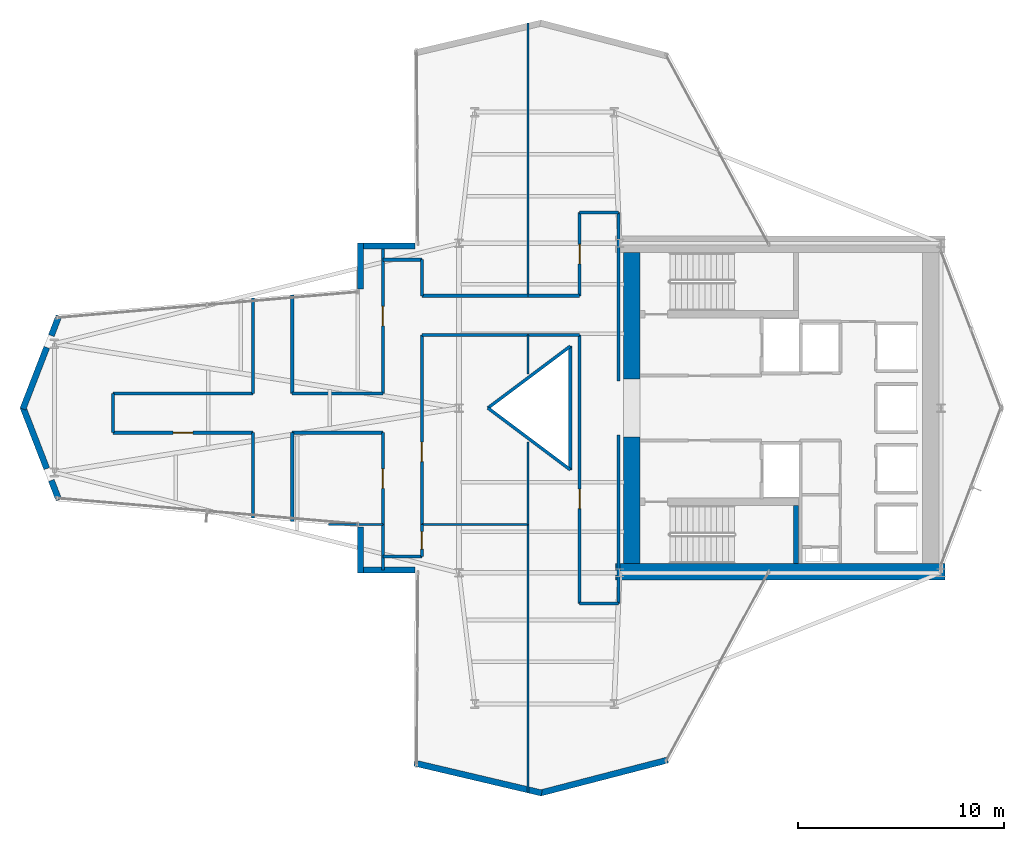
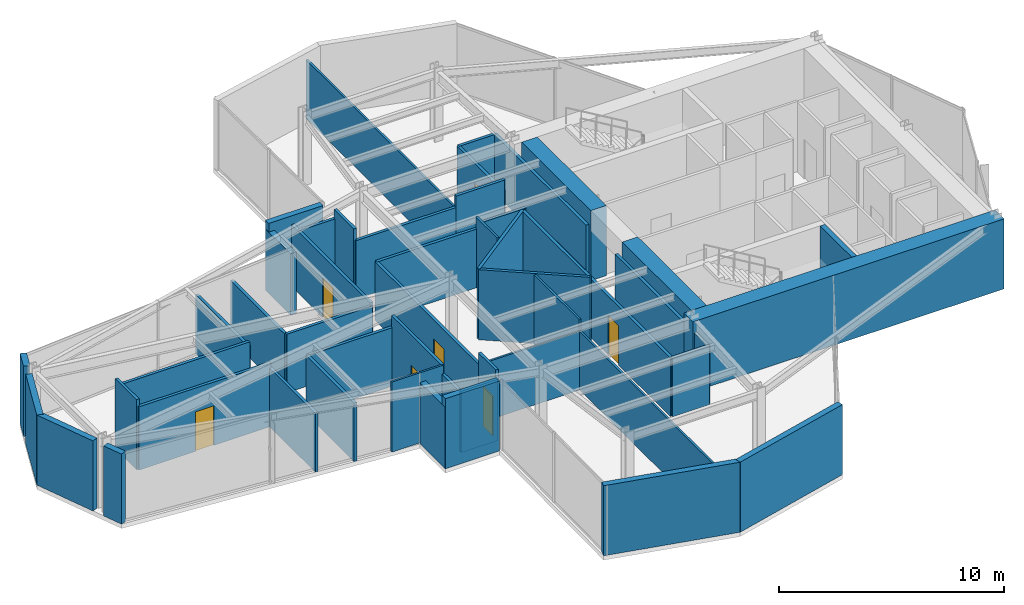
# One storey, part 23 of 26: 50 walls, 7 doors, 7 openings.
"""IFC4 building model written with IfcOpenShell, lengths in metres."""

from ifc_helpers import new_model, si_unit, direction, frame, frame_2d, origin, place, context, subcontext, project, spatial, rectangle, extrude, material, layer, layer_set, type_object, element, fill, save


model = new_model("IFC4")

# Units and contexts
model_context = context("Model", 3, precision=1e-05, world=origin(), true_north=direction((0.0, 1.0)))
body_context = subcontext(model_context, "Body", "Model", "MODEL_VIEW")
ifc_project = project(units=[si_unit("LENGTHUNIT", "METRE"), si_unit("AREAUNIT", "SQUARE_METRE"), si_unit("VOLUMEUNIT", "CUBIC_METRE"), si_unit("PLANEANGLEUNIT", "RADIAN"), si_unit("MASSUNIT", "GRAM", prefix="KILO")], contexts=[model_context])

# Site, building, storey
site_placement = place(None, origin())
site = spatial("IfcSite", under=ifc_project, at=site_placement, CompositionType="ELEMENT")
building_placement = place(site_placement, origin())
building = spatial("IfcBuilding", under=site, at=building_placement, Name="Veymaron Broadcast Tower", CompositionType="ELEMENT")
storey_placement = place(building_placement, frame((0.0, 0.0, 153.300048828125)))
storey = spatial("IfcBuildingStorey", under=building, at=storey_placement, Name="L35", CompositionType="ELEMENT", Elevation=153.300048828125)

# Walls
ifc_material_1 = material(Name="Precast concrete C40/50 with mineral-wool insulation", Category="concrete")
ifc_layer_1 = layer(ifc_material_1, 0.300048828125)
ifc_layer_set_1 = layer_set([ifc_layer_1], Name="Precast concrete C40/50 with mineral-wool insulation")
wall_type_1 = type_object("IfcWallType", Name="WALL-EXT-300", PredefinedType="STANDARD", material=ifc_layer_set_1)
wall_1_placement = place(storey_placement, frame((29.06494140625, 31.860107421875, 0.0), z_axis=(0.0, 0.0, 1.0), x_axis=(-1.0, 0.0, 0.0)))
element("IfcWall", 1, at=wall_1_placement, inside=storey, type_object=wall_type_1, Name="L35 notched corner facade pier 9-1", PredefinedType="STANDARD", context=body_context, shape_type="SweptSolid", body=[
    extrude(rectangle(XDim=2.79443359375, YDim=0.300048828125, at=frame_2d((1.397216796875, 0.0))), origin(), (0.0, 0.0, 1.0), 3.81005859375),
])
wall_2_placement = place(storey_placement, frame((26.410400390625, 32.0, 0.0), z_axis=(0.0, 0.0, 1.0), x_axis=(0.0, -1.0, 0.0)))
element("IfcWall", 2, at=wall_2_placement, inside=storey, type_object=wall_type_1, Name="L35 notched corner facade pier 10-1", PredefinedType="STANDARD", context=body_context, shape_type="SweptSolid", body=[
    extrude(rectangle(XDim=2.229248046875, YDim=0.300048828125, at=frame_2d((1.11474609375, 0.0))), origin(), (0.0, 0.0, 1.0), 3.337890625),
])
wall_3_placement = place(storey_placement, frame((11.7705078125, 28.465576171875, 0.0), z_axis=(0.0, 0.0, 1.0), x_axis=(-0.360678505659, -0.93269020342, 0.0)))
element("IfcWall", 3, at=wall_3_placement, inside=storey, type_object=wall_type_1, Name="L35 notched corner facade pier 12-1", PredefinedType="STANDARD", context=body_context, shape_type="SweptSolid", body=[
    extrude(rectangle(XDim=1.02001953125, YDim=0.300048828125, at=frame_2d((0.510009765625, 0.0))), origin(), (0.0, 0.0, 1.0), 3.81005859375),
])
for number, where, z_axis, x_axis, name in (
    (4, (11.181884765625, 26.944091796875, 0.0), (0.0, 0.0, 1.0), (-0.360787181504, -0.932648170353, 0.0), "L35 notched corner facade pier 12-2"),
    (5, (10.0234375, 24.050537109375, 0.0), (0.0, 0.0, 1.0), (0.360787181504, -0.932648170353, 0.0), "L35 notched corner facade pier 13-1"),
):
    element("IfcWall", number, at=place(storey_placement, frame(where, z_axis=z_axis, x_axis=x_axis)), inside=storey, type_object=wall_type_1, Name=name, PredefinedType="STANDARD", context=body_context, shape_type="SweptSolid", body=[
        extrude(rectangle(XDim=3.2109375, YDim=0.300048828125, at=frame_2d((1.60546875, 0.0))), origin(), (0.0, 0.0, 1.0), 3.81005859375),
    ])
wall_4_placement = place(storey_placement, frame((11.402587890625, 20.48583984375, 0.0), z_axis=(0.0, 0.0, 1.0), x_axis=(0.360678505659, -0.93269020342, 0.0)))
element("IfcWall", 6, at=wall_4_placement, inside=storey, type_object=wall_type_1, Name="L35 notched corner facade pier 13-2", PredefinedType="STANDARD", context=body_context, shape_type="SweptSolid", body=[
    extrude(rectangle(XDim=1.02001953125, YDim=0.300048828125, at=frame_2d((0.510009765625, 0.0))), origin(), (0.0, 0.0, 1.0), 3.81005859375),
])
wall_5_placement = place(storey_placement, frame((26.410400390625, 18.229248046875, 0.0), z_axis=(0.0, 0.0, 1.0), x_axis=(0.0, -1.0, 0.0)))
element("IfcWall", 7, at=wall_5_placement, inside=storey, type_object=wall_type_1, Name="L35 notched corner facade pier 15-1", PredefinedType="STANDARD", context=body_context, shape_type="SweptSolid", body=[
    extrude(rectangle(XDim=2.229248046875, YDim=0.300048828125, at=frame_2d((1.11474609375, 0.0))), origin(), (0.0, 0.0, 1.0), 3.337890625),
])
wall_6_placement = place(storey_placement, frame((26.2705078125, 16.139892578125, 0.0), z_axis=(0.0, 0.0, 1.0), x_axis=(1.0, 0.0, 0.0)))
element("IfcWall", 8, at=wall_6_placement, inside=storey, type_object=wall_type_1, Name="L35 notched corner facade pier 16-1", PredefinedType="STANDARD", context=body_context, shape_type="SweptSolid", body=[
    extrude(rectangle(XDim=2.79443359375, YDim=0.300048828125, at=frame_2d((1.397216796875, 0.0))), origin(), (0.0, 0.0, 1.0), 3.81005859375),
])
wall_7_placement = place(storey_placement, frame((29.033203125, 6.763427734375, 0.0), z_axis=(0.0, 0.0, 1.0), x_axis=(0.973355101444, -0.229302957882, 0.0)))
element("IfcWall", 9, at=wall_7_placement, inside=storey, type_object=wall_type_1, Name="L35 notched corner facade pier 18-1", PredefinedType="STANDARD", context=body_context, shape_type="SweptSolid", body=[
    extrude(rectangle(XDim=6.348876953125, YDim=0.300048828125, at=frame_2d((3.17431640625, 0.0))), origin(), (0.0, 0.0, 1.0), 3.81005859375),
])
wall_8_placement = place(storey_placement, frame((35.145751953125, 5.306640625, 0.0), z_axis=(0.0, 0.0, 1.0), x_axis=(0.96801891639, 0.250877216005, 0.0)))
element("IfcWall", 10, at=wall_8_placement, inside=storey, type_object=wall_type_1, Name="L35 notched corner facade pier 19-1", PredefinedType="STANDARD", context=body_context, shape_type="SweptSolid", body=[
    extrude(rectangle(XDim=6.3837890625, YDim=0.300048828125, at=frame_2d((3.19189453125, 0.0))), origin(), (0.0, 0.0, 1.0), 3.81005859375),
])

# Wall, opening, door
ifc_material_2 = material(Name="Gypsum fireboard and steel stud framing", Category="steel")
ifc_layer_2 = layer(ifc_material_2, 0.14990234375)
ifc_layer_set_2 = layer_set([ifc_layer_2], Name="Gypsum fireboard and steel stud framing")
wall_type_2 = type_object("IfcWallType", Name="WALL-FIRE-150", PredefinedType="PARTITIONING", material=ifc_layer_set_2)
wall_9_placement = place(storey_placement, frame((29.39990234375, 16.800048828125, 0.0), z_axis=(0.0, 0.0, 1.0), x_axis=(0.0, 1.0, 0.0)))
wall_9 = element("IfcWall", 11, at=wall_9_placement, inside=storey, type_object=wall_type_2, Name="L35 partition IW-L35-P03", PredefinedType="PARTITIONING", context=body_context, shape_type="SweptSolid", body=[
    extrude(rectangle(XDim=1.551025390625, YDim=0.14990234375, at=frame_2d((0.775390625, 0.0))), origin(), (0.0, 0.0, 1.0), 3.81005859375),
])
opening_1_placement = place(wall_9_placement, frame((0.3505859375, 0.0, 0.0)))
opening_1 = element("IfcOpeningElement", 12, at=opening_1_placement, cuts=wall_9, Name="Opening ID-WC1", PredefinedType="OPENING", context=body_context, shape_type="SweptSolid", body=[
    extrude(rectangle(XDim=0.85009765625, YDim=2.14990234375, at=frame_2d((0.425048828125, 1.074951171875))), frame((0.0, 0.0849609375, 0.0), z_axis=(0.0, -1.0, 0.0), x_axis=(1.0, 0.0, 0.0)), (0.0, 0.0, 1.0), 0.169921875),
])
ifc_material_3 = material(Name="Moisture-resistant high-pressure laminate timber", Category="wood")
door_type_1 = type_object("IfcDoorType", Name="DOOR-INT-850", OperationType="NOTDEFINED", PredefinedType="DOOR", material=ifc_material_3)
door_1_placement = place(opening_1_placement, frame((0.85009765625, 0.0, 0.0), z_axis=(0.0, 0.0, 1.0), x_axis=(-1.0, 0.0, 0.0)))
door_1 = element("IfcDoor", 13, at=door_1_placement, inside=storey, type_object=door_type_1, Name="L35 door DR-L35-P03", OperationType="SINGLE_SWING_RIGHT", OverallHeight=2.14990234375, OverallWidth=0.85009765625, PredefinedType="DOOR", context=body_context, shape_type="SweptSolid", body=[
    extrude(rectangle(XDim=0.85009765625, YDim=2.14990234375, at=frame_2d((0.425048828125, 1.074951171875))), frame((0.0, 0.02490234375, 0.0), z_axis=(0.0, -1.0, 0.0), x_axis=(1.0, 0.0, 0.0)), (0.0, 0.0, 1.0), 0.050048828125),
])
fill(opening_1, door_1)

wall_10_placement = place(storey_placement, frame((37.050048828125, 14.5, 0.0), z_axis=(0.0, 0.0, 1.0), x_axis=(0.0, 1.0, 0.0)))
wall_10 = element("IfcWall", 14, at=wall_10_placement, inside=storey, type_object=wall_type_2, Name="L35 partition IW-L35-P04", PredefinedType="PARTITIONING", context=body_context, shape_type="SweptSolid", body=[
    extrude(rectangle(XDim=13.050048828125, YDim=0.14990234375, at=frame_2d((6.52490234375, 0.0))), origin(), (0.0, 0.0, 1.0), 3.18994140625),
])
opening_2_placement = place(wall_10_placement, frame((4.610107421875, 0.0, 0.0)))
opening_2 = element("IfcOpeningElement", 15, at=opening_2_placement, cuts=wall_10, Name="Opening ID-RM1", PredefinedType="OPENING", context=body_context, shape_type="SweptSolid", body=[
    extrude(rectangle(XDim=0.949951171875, YDim=2.14990234375, at=frame_2d((0.47509765625, 1.074951171875))), frame((0.0, 0.0849609375, 0.0), z_axis=(0.0, -1.0, 0.0), x_axis=(1.0, 0.0, 0.0)), (0.0, 0.0, 1.0), 0.169921875),
])
ifc_material_4 = material(Name="Acoustic solid-core European oak veneer timber", Category="wood")
door_type_2 = type_object("IfcDoorType", Name="DOOR-INT-950", OperationType="NOTDEFINED", PredefinedType="DOOR", material=ifc_material_4)
door_2_placement = place(opening_2_placement, frame((0.949951171875, 0.0, 0.0), z_axis=(0.0, 0.0, 1.0), x_axis=(-1.0, 0.0, 0.0)))
door_2 = element("IfcDoor", 16, at=door_2_placement, inside=storey, type_object=door_type_2, Name="L35 door DR-L35-P04", OperationType="SINGLE_SWING_LEFT", OverallHeight=2.14990234375, OverallWidth=0.949951171875, PredefinedType="DOOR", context=body_context, shape_type="SweptSolid", body=[
    extrude(rectangle(XDim=0.949951171875, YDim=2.14990234375, at=frame_2d((0.47509765625, 1.074951171875))), frame((0.0, 0.02490234375, 0.0), z_axis=(0.0, -1.0, 0.0), x_axis=(1.0, 0.0, 0.0)), (0.0, 0.0, 1.0), 0.050048828125),
])
fill(opening_2, door_2)

wall_11_placement = place(storey_placement, frame((27.5, 18.35107421875, 0.0), z_axis=(0.0, 0.0, 1.0), x_axis=(0.0, 1.0, 0.0)))
wall_11 = element("IfcWall", 17, at=wall_11_placement, inside=storey, type_object=wall_type_2, Name="L35 partition IW-L35-P08", PredefinedType="PARTITIONING", context=body_context, shape_type="SweptSolid", body=[
    extrude(rectangle(XDim=4.448974609375, YDim=0.14990234375, at=frame_2d((2.224609375, 0.0))), origin(), (0.0, 0.0, 1.0), 3.81005859375),
])
opening_3_placement = place(wall_11_placement, frame((1.74951171875, 0.0, 0.0)))
opening_3 = element("IfcOpeningElement", 18, at=opening_3_placement, cuts=wall_11, Name="Opening ID-RM1", PredefinedType="OPENING", context=body_context, shape_type="SweptSolid", body=[
    extrude(rectangle(XDim=0.949951171875, YDim=2.14990234375, at=frame_2d((0.47509765625, 1.074951171875))), frame((0.0, 0.0849609375, 0.0), z_axis=(0.0, -1.0, 0.0), x_axis=(1.0, 0.0, 0.0)), (0.0, 0.0, 1.0), 0.169921875),
])
door_3_placement = place(opening_3_placement, origin())
door_3 = element("IfcDoor", 19, at=door_3_placement, inside=storey, type_object=door_type_2, Name="L35 door DR-L35-P08", OperationType="SINGLE_SWING_LEFT", OverallHeight=2.14990234375, OverallWidth=0.949951171875, PredefinedType="DOOR", context=body_context, shape_type="SweptSolid", body=[
    extrude(rectangle(XDim=0.949951171875, YDim=2.14990234375, at=frame_2d((0.47509765625, 1.074951171875))), frame((0.0, 0.02490234375, 0.0), z_axis=(0.0, -1.0, 0.0), x_axis=(1.0, 0.0, 0.0)), (0.0, 0.0, 1.0), 0.050048828125),
])
fill(opening_3, door_3)

wall_12_placement = place(storey_placement, frame((29.39990234375, 18.35107421875, 0.0), z_axis=(0.0, 0.0, 1.0), x_axis=(0.0, 1.0, 0.0)))
wall_12 = element("IfcWall", 20, at=wall_12_placement, inside=storey, type_object=wall_type_2, Name="L35 partition IW-L35-P11", PredefinedType="PARTITIONING", context=body_context, shape_type="SweptSolid", body=[
    extrude(rectangle(XDim=9.198974609375, YDim=0.14990234375, at=frame_2d((4.599609375, 0.0))), origin(), (0.0, 0.0, 1.0), 3.18994140625),
])
opening_4_placement = place(wall_12_placement, frame((3.04443359375, 0.0, 0.0)))
opening_4 = element("IfcOpeningElement", 21, at=opening_4_placement, cuts=wall_12, Name="Opening ID-RM1", PredefinedType="OPENING", context=body_context, shape_type="SweptSolid", body=[
    extrude(rectangle(XDim=0.949951171875, YDim=2.14990234375, at=frame_2d((0.47509765625, 1.074951171875))), frame((0.0, 0.0849609375, 0.0), z_axis=(0.0, -1.0, 0.0), x_axis=(1.0, 0.0, 0.0)), (0.0, 0.0, 1.0), 0.169921875),
])
door_4_placement = place(opening_4_placement, frame((0.949951171875, 0.0, 0.0), z_axis=(0.0, 0.0, 1.0), x_axis=(-1.0, 0.0, 0.0)))
door_4 = element("IfcDoor", 22, at=door_4_placement, inside=storey, type_object=door_type_2, Name="L35 door DR-L35-P11", OperationType="SINGLE_SWING_RIGHT", OverallHeight=2.14990234375, OverallWidth=0.949951171875, PredefinedType="DOOR", context=body_context, shape_type="SweptSolid", body=[
    extrude(rectangle(XDim=0.949951171875, YDim=2.14990234375, at=frame_2d((0.47509765625, 1.074951171875))), frame((0.0, 0.02490234375, 0.0), z_axis=(0.0, -1.0, 0.0), x_axis=(1.0, 0.0, 0.0)), (0.0, 0.0, 1.0), 0.050048828125),
])
fill(opening_4, door_4)

wall_13_placement = place(storey_placement, frame((14.392822265625, 22.800048828125, 0.0), z_axis=(0.0, 0.0, 1.0), x_axis=(1.0, 0.0, 0.0)))
wall_13 = element("IfcWall", 23, at=wall_13_placement, inside=storey, type_object=wall_type_2, Name="L35 partition IW-L35-P13", PredefinedType="PARTITIONING", context=body_context, shape_type="SweptSolid", body=[
    extrude(rectangle(XDim=6.80712890625, YDim=0.14990234375, at=frame_2d((3.403564453125, 0.0))), origin(), (0.0, 0.0, 1.0), 3.44287109375),
])
opening_5_placement = place(wall_13_placement, frame((2.9287109375, 0.0, 0.0)))
opening_5 = element("IfcOpeningElement", 24, at=opening_5_placement, cuts=wall_13, Name="Opening ID-RM1", PredefinedType="OPENING", context=body_context, shape_type="SweptSolid", body=[
    extrude(rectangle(XDim=0.949951171875, YDim=2.14990234375, at=frame_2d((0.47509765625, 1.074951171875))), frame((0.0, 0.0849609375, 0.0), z_axis=(0.0, -1.0, 0.0), x_axis=(1.0, 0.0, 0.0)), (0.0, 0.0, 1.0), 0.169921875),
])
door_5_placement = place(opening_5_placement, frame((0.949951171875, 0.0, 0.0), z_axis=(0.0, 0.0, 1.0), x_axis=(-1.0, 0.0, 0.0)))
door_5 = element("IfcDoor", 25, at=door_5_placement, inside=storey, type_object=door_type_2, Name="L35 door DR-L35-P13", OperationType="SINGLE_SWING_RIGHT", OverallHeight=2.14990234375, OverallWidth=0.949951171875, PredefinedType="DOOR", context=body_context, shape_type="SweptSolid", body=[
    extrude(rectangle(XDim=0.949951171875, YDim=2.14990234375, at=frame_2d((0.47509765625, 1.074951171875))), frame((0.0, 0.02490234375, 0.0), z_axis=(0.0, -1.0, 0.0), x_axis=(1.0, 0.0, 0.0)), (0.0, 0.0, 1.0), 0.050048828125),
])
fill(opening_5, door_5)

wall_14_placement = place(storey_placement, frame((27.5, 24.699951171875, 0.0), z_axis=(0.0, 0.0, 1.0), x_axis=(0.0, 1.0, 0.0)))
wall_14 = element("IfcWall", 26, at=wall_14_placement, inside=storey, type_object=wall_type_2, Name="L35 partition IW-L35-P18", PredefinedType="PARTITIONING", context=body_context, shape_type="SweptSolid", body=[
    extrude(rectangle(XDim=7.16015625, YDim=0.14990234375, at=frame_2d((3.580078125, 0.0))), origin(), (0.0, 0.0, 1.0), 3.337890625),
])
opening_6_placement = place(wall_14_placement, frame((3.284912109375, 0.0, 0.0)))
opening_6 = element("IfcOpeningElement", 27, at=opening_6_placement, cuts=wall_14, Name="Opening ID-RM1", PredefinedType="OPENING", context=body_context, shape_type="SweptSolid", body=[
    extrude(rectangle(XDim=0.949951171875, YDim=2.14990234375, at=frame_2d((0.47509765625, 1.074951171875))), frame((0.0, 0.0849609375, 0.0), z_axis=(0.0, -1.0, 0.0), x_axis=(1.0, 0.0, 0.0)), (0.0, 0.0, 1.0), 0.169921875),
])
door_6_placement = place(opening_6_placement, origin())
door_6 = element("IfcDoor", 28, at=door_6_placement, inside=storey, type_object=door_type_2, Name="L35 door DR-L35-P18", OperationType="SINGLE_SWING_LEFT", OverallHeight=2.14990234375, OverallWidth=0.949951171875, PredefinedType="DOOR", context=body_context, shape_type="SweptSolid", body=[
    extrude(rectangle(XDim=0.949951171875, YDim=2.14990234375, at=frame_2d((0.47509765625, 1.074951171875))), frame((0.0, 0.02490234375, 0.0), z_axis=(0.0, -1.0, 0.0), x_axis=(1.0, 0.0, 0.0)), (0.0, 0.0, 1.0), 0.050048828125),
])
fill(opening_6, door_6)

wall_15_placement = place(storey_placement, frame((37.050048828125, 29.449951171875, 0.0), z_axis=(0.0, 0.0, 1.0), x_axis=(0.0, 1.0, 0.0)))
wall_15 = element("IfcWall", 29, at=wall_15_placement, inside=storey, type_object=wall_type_2, Name="L35 partition IW-L35-P25", PredefinedType="PARTITIONING", context=body_context, shape_type="SweptSolid", body=[
    extrude(rectangle(XDim=4.050048828125, YDim=0.14990234375, at=frame_2d((2.02490234375, 0.0))), origin(), (0.0, 0.0, 1.0), 3.18994140625),
])
opening_7_placement = place(wall_15_placement, frame((1.550048828125, 0.0, 0.0)))
opening_7 = element("IfcOpeningElement", 30, at=opening_7_placement, cuts=wall_15, Name="Opening ID-RM1", PredefinedType="OPENING", context=body_context, shape_type="SweptSolid", body=[
    extrude(rectangle(XDim=0.949951171875, YDim=2.14990234375, at=frame_2d((0.47509765625, 1.074951171875))), frame((0.0, 0.0849609375, 0.0), z_axis=(0.0, -1.0, 0.0), x_axis=(1.0, 0.0, 0.0)), (0.0, 0.0, 1.0), 0.169921875),
])
door_7_placement = place(opening_7_placement, origin())
door_7 = element("IfcDoor", 31, at=door_7_placement, inside=storey, type_object=door_type_2, Name="L35 door DR-L35-P25", OperationType="SINGLE_SWING_RIGHT", OverallHeight=2.14990234375, OverallWidth=0.949951171875, PredefinedType="DOOR", context=body_context, shape_type="SweptSolid", body=[
    extrude(rectangle(XDim=0.949951171875, YDim=2.14990234375, at=frame_2d((0.47509765625, 1.074951171875))), frame((0.0, 0.02490234375, 0.0), z_axis=(0.0, -1.0, 0.0), x_axis=(1.0, 0.0, 0.0)), (0.0, 0.0, 1.0), 0.050048828125),
])
fill(opening_7, door_7)

# Walls
wall_16_placement = place(storey_placement, frame((27.5, 16.139892578125, 0.0), z_axis=(0.0, 0.0, 1.0), x_axis=(0.0, 1.0, 0.0)))
element("IfcWall", 32, at=wall_16_placement, inside=storey, type_object=wall_type_2, Name="L35 partition IW-L35-P01", PredefinedType="PARTITIONING", context=body_context, shape_type="SweptSolid", body=[
    extrude(rectangle(XDim=2.211181640625, YDim=0.14990234375, at=frame_2d((1.10546875, 0.0))), origin(), (0.0, 0.0, 1.0), 3.337890625),
])
wall_17_placement = place(storey_placement, frame((27.5, 16.800048828125, 0.0), z_axis=(0.0, 0.0, 1.0), x_axis=(1.0, 0.0, 0.0)))
element("IfcWall", 33, at=wall_17_placement, inside=storey, type_object=wall_type_2, Name="L35 partition IW-L35-P02", PredefinedType="PARTITIONING", context=body_context, shape_type="SweptSolid", body=[
    extrude(rectangle(XDim=1.89990234375, YDim=0.14990234375, at=frame_2d((0.949951171875, 0.0))), origin(), (0.0, 0.0, 1.0), 3.337890625),
])
wall_18_placement = place(storey_placement, frame((38.949951171875, 14.5, 0.0), z_axis=(0.0, 0.0, 1.0), x_axis=(0.0, 1.0, 0.0)))
element("IfcWall", 34, at=wall_18_placement, inside=storey, type_object=wall_type_2, Name="L35 partition IW-L35-P05", PredefinedType="PARTITIONING", context=body_context, shape_type="SweptSolid", body=[
    extrude(rectangle(XDim=8.199951171875, YDim=0.14990234375, at=frame_2d((4.10009765625, 0.0))), origin(), (0.0, 0.0, 1.0), 3.18994140625),
])
wall_19_placement = place(storey_placement, frame((34.556884765625, 27.550048828125, 0.0), z_axis=(0.0, 0.0, 1.0), x_axis=(1.0, 0.0, 0.0)))
element("IfcWall", 35, at=wall_19_placement, inside=storey, type_object=wall_type_2, Name="L35 partition IW-L35-P06", PredefinedType="PARTITIONING", context=body_context, shape_type="SweptSolid", body=[
    extrude(rectangle(XDim=2.4931640625, YDim=0.14990234375, at=frame_2d((1.24658203125, 0.0))), origin(), (0.0, 0.0, 1.0), 3.44287109375),
])
wall_20_placement = place(storey_placement, frame((37.050048828125, 14.5, 0.0), z_axis=(0.0, 0.0, 1.0), x_axis=(1.0, 0.0, 0.0)))
element("IfcWall", 36, at=wall_20_placement, inside=storey, type_object=wall_type_2, Name="L35 partition IW-L35-P07", PredefinedType="PARTITIONING", context=body_context, shape_type="SweptSolid", body=[
    extrude(rectangle(XDim=1.89990234375, YDim=0.14990234375, at=frame_2d((0.949951171875, 0.0))), origin(), (0.0, 0.0, 1.0), 3.18994140625),
])
wall_21_placement = place(storey_placement, frame((23.10009765625, 22.800048828125, 0.0), z_axis=(0.0, 0.0, 1.0), x_axis=(1.0, 0.0, 0.0)))
element("IfcWall", 37, at=wall_21_placement, inside=storey, type_object=wall_type_2, Name="L35 partition IW-L35-P09", PredefinedType="PARTITIONING", context=body_context, shape_type="SweptSolid", body=[
    extrude(rectangle(XDim=4.39990234375, YDim=0.14990234375, at=frame_2d((2.199951171875, 0.0))), origin(), (0.0, 0.0, 1.0), 3.18994140625),
])
wall_22_placement = place(storey_placement, frame((23.10009765625, 18.501220703125, 0.0), z_axis=(0.0, 0.0, 1.0), x_axis=(0.0, 1.0, 0.0)))
element("IfcWall", 38, at=wall_22_placement, inside=storey, type_object=wall_type_2, Name="L35 partition IW-L35-P10", PredefinedType="PARTITIONING", context=body_context, shape_type="SweptSolid", body=[
    extrude(rectangle(XDim=4.298828125, YDim=0.14990234375, at=frame_2d((2.1494140625, 0.0))), origin(), (0.0, 0.0, 1.0), 3.18994140625),
])
wall_23_placement = place(storey_placement, frame((29.39990234375, 27.550048828125, 0.0), z_axis=(0.0, 0.0, 1.0), x_axis=(1.0, 0.0, 0.0)))
element("IfcWall", 39, at=wall_23_placement, inside=storey, type_object=wall_type_2, Name="L35 partition IW-L35-P12", PredefinedType="PARTITIONING", context=body_context, shape_type="SweptSolid", body=[
    extrude(rectangle(XDim=5.156982421875, YDim=0.14990234375, at=frame_2d((2.57861328125, 0.0))), origin(), (0.0, 0.0, 1.0), 3.18994140625),
])
wall_24_placement = place(storey_placement, frame((14.392822265625, 24.699951171875, 0.0), z_axis=(0.0, 0.0, 1.0), x_axis=(1.0, 0.0, 0.0)))
element("IfcWall", 40, at=wall_24_placement, inside=storey, type_object=wall_type_2, Name="L35 partition IW-L35-P14", PredefinedType="PARTITIONING", context=body_context, shape_type="SweptSolid", body=[
    extrude(rectangle(XDim=6.80712890625, YDim=0.14990234375, at=frame_2d((3.403564453125, 0.0))), origin(), (0.0, 0.0, 1.0), 3.44287109375),
])
wall_25_placement = place(storey_placement, frame((21.199951171875, 24.699951171875, 0.0), z_axis=(0.0, 0.0, 1.0), x_axis=(0.0, 1.0, 0.0)))
element("IfcWall", 41, at=wall_25_placement, inside=storey, type_object=wall_type_2, Name="L35 partition IW-L35-P15", PredefinedType="PARTITIONING", context=body_context, shape_type="SweptSolid", body=[
    extrude(rectangle(XDim=4.635986328125, YDim=0.14990234375, at=frame_2d((2.31787109375, 0.0))), origin(), (0.0, 0.0, 1.0), 3.18994140625),
])
wall_26_placement = place(storey_placement, frame((21.199951171875, 18.6640625, 0.0), z_axis=(0.0, 0.0, 1.0), x_axis=(0.0, 1.0, 0.0)))
element("IfcWall", 42, at=wall_26_placement, inside=storey, type_object=wall_type_2, Name="L35 partition IW-L35-P16", PredefinedType="PARTITIONING", context=body_context, shape_type="SweptSolid", body=[
    extrude(rectangle(XDim=4.135986328125, YDim=0.14990234375, at=frame_2d((2.06787109375, 0.0))), origin(), (0.0, 0.0, 1.0), 3.18994140625),
])
wall_27_placement = place(storey_placement, frame((14.392822265625, 22.800048828125, 0.0), z_axis=(0.0, 0.0, 1.0), x_axis=(0.0, 1.0, 0.0)))
element("IfcWall", 43, at=wall_27_placement, inside=storey, type_object=wall_type_2, Name="L35 partition IW-L35-P17", PredefinedType="PARTITIONING", context=body_context, shape_type="SweptSolid", body=[
    extrude(rectangle(XDim=1.89990234375, YDim=0.14990234375, at=frame_2d((0.949951171875, 0.0))), origin(), (0.0, 0.0, 1.0), 3.81005859375),
])
wall_28_placement = place(storey_placement, frame((29.39990234375, 29.449951171875, 0.0), z_axis=(0.0, 0.0, 1.0), x_axis=(1.0, 0.0, 0.0)))
element("IfcWall", 44, at=wall_28_placement, inside=storey, type_object=wall_type_2, Name="L35 partition IW-L35-P19", PredefinedType="PARTITIONING", context=body_context, shape_type="SweptSolid", body=[
    extrude(rectangle(XDim=5.156982421875, YDim=0.14990234375, at=frame_2d((2.57861328125, 0.0))), origin(), (0.0, 0.0, 1.0), 3.18994140625),
])
wall_29_placement = place(storey_placement, frame((23.10009765625, 24.699951171875, 0.0), z_axis=(0.0, 0.0, 1.0), x_axis=(0.0, 1.0, 0.0)))
element("IfcWall", 45, at=wall_29_placement, inside=storey, type_object=wall_type_2, Name="L35 partition IW-L35-P20", PredefinedType="PARTITIONING", context=body_context, shape_type="SweptSolid", body=[
    extrude(rectangle(XDim=4.798828125, YDim=0.14990234375, at=frame_2d((2.3994140625, 0.0))), origin(), (0.0, 0.0, 1.0), 3.18994140625),
])
wall_30_placement = place(storey_placement, frame((23.10009765625, 24.699951171875, 0.0), z_axis=(0.0, 0.0, 1.0), x_axis=(1.0, 0.0, 0.0)))
element("IfcWall", 46, at=wall_30_placement, inside=storey, type_object=wall_type_2, Name="L35 partition IW-L35-P21", PredefinedType="PARTITIONING", context=body_context, shape_type="SweptSolid", body=[
    extrude(rectangle(XDim=4.39990234375, YDim=0.14990234375, at=frame_2d((2.199951171875, 0.0))), origin(), (0.0, 0.0, 1.0), 3.18994140625),
])
wall_31_placement = place(storey_placement, frame((27.5, 31.199951171875, 0.0), z_axis=(0.0, 0.0, 1.0), x_axis=(1.0, 0.0, 0.0)))
element("IfcWall", 47, at=wall_31_placement, inside=storey, type_object=wall_type_2, Name="L35 partition IW-L35-P22", PredefinedType="PARTITIONING", context=body_context, shape_type="SweptSolid", body=[
    extrude(rectangle(XDim=1.89990234375, YDim=0.14990234375, at=frame_2d((0.949951171875, 0.0))), origin(), (0.0, 0.0, 1.0), 3.337890625),
])
wall_32_placement = place(storey_placement, frame((29.39990234375, 29.449951171875, 0.0), z_axis=(0.0, 0.0, 1.0), x_axis=(0.0, 1.0, 0.0)))
element("IfcWall", 48, at=wall_32_placement, inside=storey, type_object=wall_type_2, Name="L35 partition IW-L35-P23", PredefinedType="PARTITIONING", context=body_context, shape_type="SweptSolid", body=[
    extrude(rectangle(XDim=1.75, YDim=0.14990234375, at=frame_2d((0.875, 0.0))), origin(), (0.0, 0.0, 1.0), 3.81005859375),
])
wall_33_placement = place(storey_placement, frame((38.949951171875, 25.300048828125, 0.0), z_axis=(0.0, 0.0, 1.0), x_axis=(0.0, 1.0, 0.0)))
element("IfcWall", 49, at=wall_33_placement, inside=storey, type_object=wall_type_2, Name="L35 partition IW-L35-P24", PredefinedType="PARTITIONING", context=body_context, shape_type="SweptSolid", body=[
    extrude(rectangle(XDim=8.199951171875, YDim=0.14990234375, at=frame_2d((4.10009765625, 0.0))), origin(), (0.0, 0.0, 1.0), 3.18994140625),
])
wall_34_placement = place(storey_placement, frame((34.556884765625, 29.449951171875, 0.0), z_axis=(0.0, 0.0, 1.0), x_axis=(1.0, 0.0, 0.0)))
element("IfcWall", 50, at=wall_34_placement, inside=storey, type_object=wall_type_2, Name="L35 partition IW-L35-P26", PredefinedType="PARTITIONING", context=body_context, shape_type="SweptSolid", body=[
    extrude(rectangle(XDim=2.4931640625, YDim=0.14990234375, at=frame_2d((1.24658203125, 0.0))), origin(), (0.0, 0.0, 1.0), 3.81005859375),
])
wall_35_placement = place(storey_placement, frame((37.050048828125, 33.5, 0.0), z_axis=(0.0, 0.0, 1.0), x_axis=(1.0, 0.0, 0.0)))
element("IfcWall", 51, at=wall_35_placement, inside=storey, type_object=wall_type_2, Name="L35 partition IW-L35-P27", PredefinedType="PARTITIONING", context=body_context, shape_type="SweptSolid", body=[
    extrude(rectangle(XDim=1.89990234375, YDim=0.14990234375, at=frame_2d((0.949951171875, 0.0))), origin(), (0.0, 0.0, 1.0), 3.18994140625),
])
ifc_material_5 = material(Name="Fire-rated laminated glass in aluminium frame", Category="aluminium")
ifc_layer_3 = layer(ifc_material_5, 0.14990234375)
ifc_layer_set_3 = layer_set([ifc_layer_3], Name="Fire-rated laminated glass in aluminium frame")
wall_type_3 = type_object("IfcWallType", Name="WALL-GLZ-150", PredefinedType="MOVABLE", material=ifc_layer_set_3)
wall_36_placement = place(storey_placement, frame((32.60009765625, 24.0, 0.0), z_axis=(0.0, 0.0, 1.0), x_axis=(0.8, -0.6, 0.0)))
element("IfcWall", 52, at=wall_36_placement, inside=storey, type_object=wall_type_3, Name="L35 partition IW-L35-ATR1", PredefinedType="MOVABLE", context=body_context, shape_type="SweptSolid", body=[
    extrude(rectangle(XDim=5.0, YDim=0.14990234375, at=frame_2d((2.5, 0.0))), origin(), (0.0, 0.0, 1.0), 3.81005859375),
])
wall_37_placement = place(storey_placement, frame((36.60009765625, 21.0, 0.0), z_axis=(0.0, 0.0, 1.0), x_axis=(0.0, 1.0, 0.0)))
element("IfcWall", 53, at=wall_37_placement, inside=storey, type_object=wall_type_3, Name="L35 partition IW-L35-ATR2", PredefinedType="MOVABLE", context=body_context, shape_type="SweptSolid", body=[
    extrude(rectangle(XDim=6.0, YDim=0.14990234375, at=frame_2d((3.0, 0.0))), origin(), (0.0, 0.0, 1.0), 3.81005859375),
])
wall_38_placement = place(storey_placement, frame((36.60009765625, 27.0, 0.0), z_axis=(0.0, 0.0, 1.0), x_axis=(-0.8, -0.6, 0.0)))
element("IfcWall", 54, at=wall_38_placement, inside=storey, type_object=wall_type_3, Name="L35 partition IW-L35-ATR3", PredefinedType="MOVABLE", context=body_context, shape_type="SweptSolid", body=[
    extrude(rectangle(XDim=5.0, YDim=0.14990234375, at=frame_2d((2.5, 0.0))), origin(), (0.0, 0.0, 1.0), 3.81005859375),
])
ifc_material_6 = material(Name="Acoustic gypsum board and galvanized stud", Category="gypsum")
ifc_layer_4 = layer(ifc_material_6, 0.10009765625)
ifc_layer_set_4 = layer_set([ifc_layer_4], Name="Acoustic gypsum board and galvanized stud")
wall_type_4 = type_object("IfcWallType", Name="WALL-PART-100", PredefinedType="PARTITIONING", material=ifc_layer_set_4)
wall_39_placement = place(storey_placement, frame((34.556884765625, 5.318115234375, 0.0), z_axis=(0.0, 0.0, 1.0), x_axis=(0.0, 1.0, 0.0)))
element("IfcWall", 55, at=wall_39_placement, inside=storey, type_object=wall_type_4, Name="L35 partition IW-L35-P28", PredefinedType="PARTITIONING", context=body_context, shape_type="SweptSolid", body=[
    extrude(rectangle(XDim=13.032958984375, YDim=0.10009765625, at=frame_2d((6.5166015625, 0.0))), origin(), (0.0, 0.0, 1.0), 3.18994140625),
])
wall_40_placement = place(storey_placement, frame((24.851318359375, 18.35107421875, 0.0), z_axis=(0.0, 0.0, 1.0), x_axis=(1.0, 0.0, 0.0)))
element("IfcWall", 56, at=wall_40_placement, inside=storey, type_object=wall_type_4, Name="L35 partition IW-L35-P29", PredefinedType="PARTITIONING", context=body_context, shape_type="SweptSolid", body=[
    extrude(rectangle(XDim=2.648681640625, YDim=0.10009765625, at=frame_2d((1.32421875, 0.0))), origin(), (0.0, 0.0, 1.0), 3.81005859375),
])
wall_41_placement = place(storey_placement, frame((29.39990234375, 18.35107421875, 0.0), z_axis=(0.0, 0.0, 1.0), x_axis=(1.0, 0.0, 0.0)))
element("IfcWall", 57, at=wall_41_placement, inside=storey, type_object=wall_type_4, Name="L35 partition IW-L35-P30", PredefinedType="PARTITIONING", context=body_context, shape_type="SweptSolid", body=[
    extrude(rectangle(XDim=5.156982421875, YDim=0.10009765625, at=frame_2d((2.57861328125, 0.0))), origin(), (0.0, 0.0, 1.0), 3.18994140625),
])
wall_42_placement = place(storey_placement, frame((34.556884765625, 18.35107421875, 0.0), z_axis=(0.0, 0.0, 1.0), x_axis=(0.0, 1.0, 0.0)))
element("IfcWall", 58, at=wall_42_placement, inside=storey, type_object=wall_type_4, Name="L35 partition IW-L35-P31", PredefinedType="PARTITIONING", context=body_context, shape_type="SweptSolid", body=[
    extrude(rectangle(XDim=3.99365234375, YDim=0.10009765625, at=frame_2d((1.996826171875, 0.0))), origin(), (0.0, 0.0, 1.0), 3.81005859375),
])
wall_43_placement = place(storey_placement, frame((34.556884765625, 25.6552734375, 0.0), z_axis=(0.0, 0.0, 1.0), x_axis=(0.0, 1.0, 0.0)))
element("IfcWall", 59, at=wall_43_placement, inside=storey, type_object=wall_type_4, Name="L35 partition IW-L35-P32", PredefinedType="PARTITIONING", context=body_context, shape_type="SweptSolid", body=[
    extrude(rectangle(XDim=1.894775390625, YDim=0.10009765625, at=frame_2d((0.947265625, 0.0))), origin(), (0.0, 0.0, 1.0), 3.81005859375),
])
wall_44_placement = place(storey_placement, frame((34.556884765625, 29.449951171875, 0.0), z_axis=(0.0, 0.0, 1.0), x_axis=(0.0, 1.0, 0.0)))
element("IfcWall", 60, at=wall_44_placement, inside=storey, type_object=wall_type_4, Name="L35 partition IW-L35-P33", PredefinedType="PARTITIONING", context=body_context, shape_type="SweptSolid", body=[
    extrude(rectangle(XDim=13.23193359375, YDim=0.10009765625, at=frame_2d((6.615966796875, 0.0))), origin(), (0.0, 0.0, 1.0), 3.18994140625),
])
ifc_material_7 = material(Name="Concrete C50/60", Category="concrete")
ifc_layer_5 = layer(ifc_material_7, 0.25)
ifc_layer_set_5 = layer_set([ifc_layer_5], Name="Concrete C50/60")
wall_type_5 = type_object("IfcWallType", Name="WALL-SHEAR-250", PredefinedType="SHEAR", material=ifc_layer_set_5)
wall_45_placement = place(storey_placement, frame((47.56494140625, 16.449951171875, 0.0), z_axis=(0.0, 0.0, 1.0), x_axis=(0.0, 1.0, 0.0)))
element("IfcWall", 61, at=wall_45_placement, inside=storey, type_object=wall_type_5, Name="L35 Core Wall south stair east shear", PredefinedType="SHEAR", context=body_context, shape_type="SweptSolid", body=[
    extrude(rectangle(XDim=2.820068359375, YDim=0.25, at=frame_2d((1.41015625, 0.0))), origin(), (0.0, 0.0, 1.0), 3.81005859375),
])
ifc_material_8 = material(Name="Concrete C60/75", Category="concrete")
ifc_layer_6 = layer(ifc_material_8, 0.800048828125)
ifc_layer_set_6 = layer_set([ifc_layer_6], Name="Concrete C60/75")
wall_type_6 = type_object("IfcWallType", Name="WALL-SHEAR-800", PredefinedType="SHEAR", material=ifc_layer_set_6)
wall_46_placement = place(storey_placement, frame((38.800048828125, 16.050048828125, 0.0), z_axis=(0.0, 0.0, 1.0), x_axis=(1.0, 0.0, 0.0)))
element("IfcWall", 62, at=wall_46_placement, inside=storey, type_object=wall_type_6, Name="L35 Core Wall south shear", PredefinedType="SHEAR", context=body_context, shape_type="SweptSolid", body=[
    extrude(rectangle(XDim=16.0, YDim=0.800048828125, at=frame_2d((8.0, 0.0))), origin(), (0.0, 0.0, 1.0), 3.81005859375),
])
for number, where, z_axis, x_axis, name in (
    (63, (39.580078125, 16.449951171875, 0.0), (0.0, 0.0, 1.0), (0.0, 1.0, 0.0), "L35 Core Wall west-south shear"),
    (64, (39.580078125, 25.39990234375, 0.0), (0.0, 0.0, 1.0), (0.0, 1.0, 0.0), "L35 Core Wall west-north shear"),
):
    element("IfcWall", number, at=place(storey_placement, frame(where, z_axis=z_axis, x_axis=x_axis)), inside=storey, type_object=wall_type_6, Name=name, PredefinedType="SHEAR", context=body_context, shape_type="SweptSolid", body=[
        extrude(rectangle(XDim=6.150146484375, YDim=0.800048828125, at=frame_2d((3.0751953125, 0.0))), origin(), (0.0, 0.0, 1.0), 3.81005859375),
    ])

save(model, "model.ifc")
